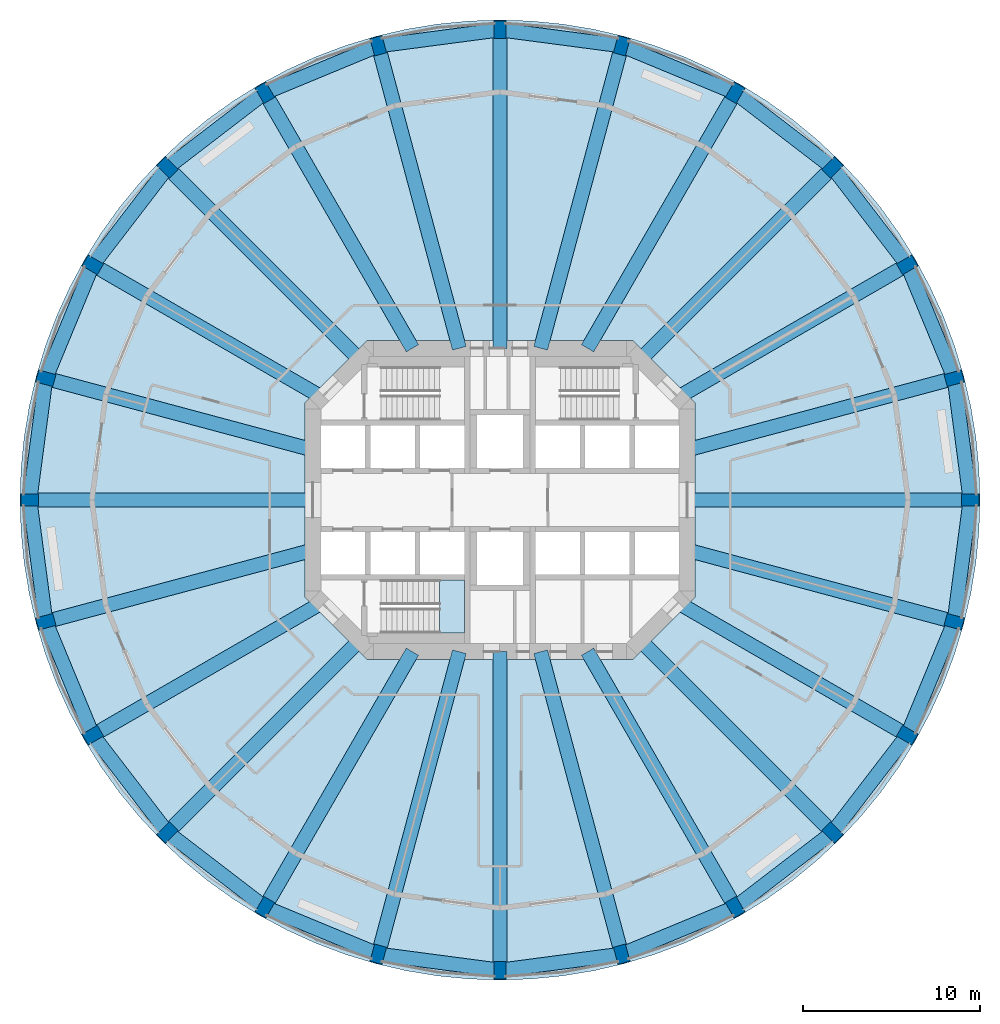
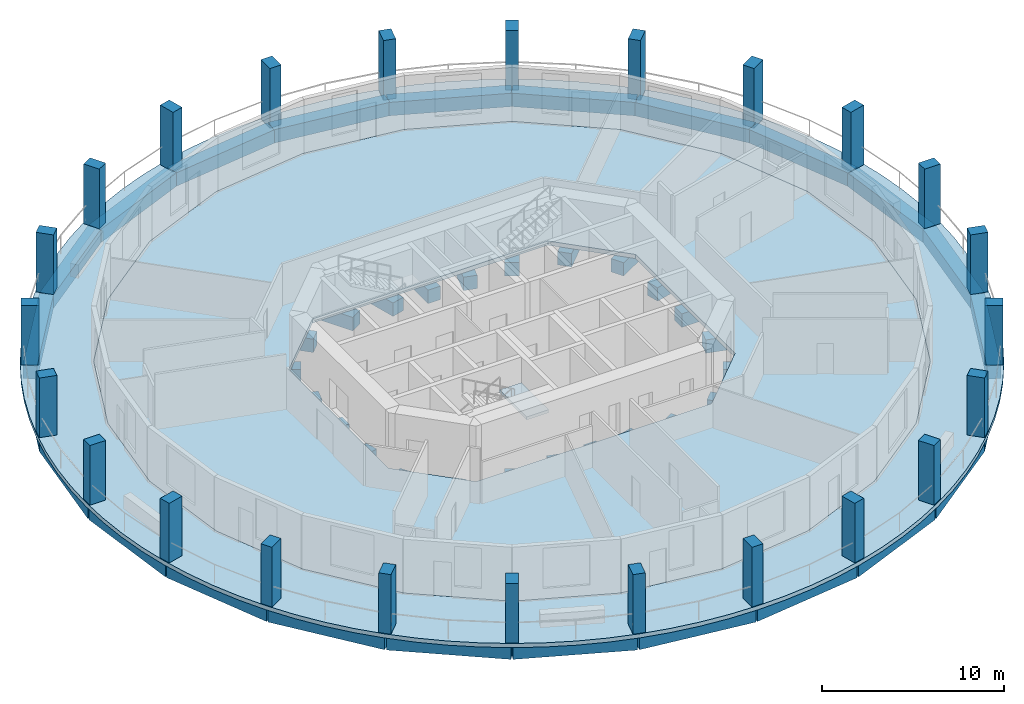
# One storey, part 1 of 9: 48 beams, 24 columns, 3 slabs, 1 element without a shape of its own.
"""IFC4 building model written with IfcOpenShell, lengths in metres."""

from ifc_helpers import new_model, si_unit, direction, frame, origin, origin_2d, place, context, subcontext, project, spatial, polyline, rectangle, outline, extrude, material, layer, layer_set, material_profile, profile_set, type_object, element, aggregate, save


model = new_model("IFC4")

# Units and contexts
model_context = context("Model", 3, precision=1e-05, world=origin(), true_north=direction((0.0, 1.0)))
body_context = subcontext(model_context, "Body", "Model", "MODEL_VIEW")
ifc_project = project(units=[si_unit("LENGTHUNIT", "METRE"), si_unit("AREAUNIT", "SQUARE_METRE"), si_unit("VOLUMEUNIT", "CUBIC_METRE"), si_unit("PLANEANGLEUNIT", "RADIAN"), si_unit("MASSUNIT", "GRAM", prefix="KILO")], contexts=[model_context])

# Site, building, storey
site_placement = place(None, origin())
site = spatial("IfcSite", under=ifc_project, at=site_placement, CompositionType="ELEMENT")
building_placement = place(site_placement, origin())
building = spatial("IfcBuilding", under=site, at=building_placement, Name="Torre Triforio", CompositionType="ELEMENT")
storey_placement = place(building_placement, frame((0.0, 0.0, 47.0)))
storey = spatial("IfcBuildingStorey", under=building, at=storey_placement, Name="L09", CompositionType="ELEMENT", Elevation=47.0)

# Columns
ifc_material_1 = material(Name="Concrete C70", Category="concrete")
ifc_material_profile_1 = material_profile(ifc_material_1, rectangle(XDim=0.699951171875, YDim=1.0, at=origin_2d()), Name="RC 700x1000")
ifc_profile_set_1 = profile_set([ifc_material_profile_1], Name="Concrete C70")
column_type = type_object("IfcColumnType", Name="Pier RC 700x1000 C70", PredefinedType="COLUMN", material=ifc_profile_set_1)
for number, where, z_axis, x_axis, name in (
    (1, (26.5, 0.0, 0.0), (0.0, 0.0, 1.0), (0.0, 1.0, 0.0), "COL.R.L09.00"),
    (2, (25.596923828125, 6.858642578125, 0.0), (0.0, 0.0, 1.0), (-0.258819045103, 0.965925826289, 0.0), "COL.R.L09.01"),
    (3, (22.94970703125, 13.25, 0.0), (0.0, 0.0, 1.0), (-0.5, 0.866025403784, 0.0), "COL.R.L09.02"),
    (4, (18.73828125, 18.73828125, 0.0), (0.0, 0.0, 1.0), (-0.707106781187, 0.707106781187, 0.0), "COL.R.L09.03"),
    (5, (13.25, 22.94970703125, 0.0), (0.0, 0.0, 1.0), (-0.866025403784, 0.5, 0.0), "COL.R.L09.04"),
    (6, (6.858642578125, 25.596923828125, 0.0), (0.0, 0.0, 1.0), (-0.965925826289, 0.258819045103, 0.0), "COL.R.L09.05"),
    (7, (0.0, 26.5, 0.0), (0.0, 0.0, 1.0), (-1.0, 0.0, 0.0), "COL.R.L09.06"),
    (8, (-6.858642578125, 25.596923828125, 0.0), (0.0, 0.0, 1.0), (-0.965925826289, -0.258819045103, 0.0), "COL.R.L09.07"),
    (9, (-13.25, 22.94970703125, 0.0), (0.0, 0.0, 1.0), (-0.866025403784, -0.5, 0.0), "COL.R.L09.08"),
    (10, (-18.73828125, 18.73828125, 0.0), (0.0, 0.0, 1.0), (-0.707106781187, -0.707106781187, 0.0), "COL.R.L09.09"),
    (11, (-22.94970703125, 13.25, 0.0), (0.0, 0.0, 1.0), (-0.5, -0.866025403784, 0.0), "COL.R.L09.10"),
    (12, (-25.596923828125, 6.858642578125, 0.0), (0.0, 0.0, 1.0), (-0.258819045103, -0.965925826289, 0.0), "COL.R.L09.11"),
    (13, (-26.5, 0.0, 0.0), (0.0, 0.0, 1.0), (0.0, -1.0, 0.0), "COL.R.L09.12"),
    (14, (-25.596923828125, -6.858642578125, 0.0), (0.0, 0.0, 1.0), (0.258819045103, -0.965925826289, 0.0), "COL.R.L09.13"),
    (15, (-22.94970703125, -13.25, 0.0), (0.0, 0.0, 1.0), (0.5, -0.866025403784, 0.0), "COL.R.L09.14"),
    (16, (-18.73828125, -18.73828125, 0.0), (0.0, 0.0, 1.0), (0.707106781187, -0.707106781187, 0.0), "COL.R.L09.15"),
    (17, (-13.25, -22.94970703125, 0.0), (0.0, 0.0, 1.0), (0.866025403784, -0.5, 0.0), "COL.R.L09.16"),
    (18, (-6.858642578125, -25.596923828125, 0.0), (0.0, 0.0, 1.0), (0.965925826289, -0.258819045103, 0.0), "COL.R.L09.17"),
    (19, (0.0, -26.5, 0.0), (0.0, 0.0, 1.0), (1.0, 0.0, 0.0), "COL.R.L09.18"),
    (20, (6.858642578125, -25.596923828125, 0.0), (0.0, 0.0, 1.0), (0.965925826289, 0.258819045103, 0.0), "COL.R.L09.19"),
    (21, (13.25, -22.94970703125, 0.0), (0.0, 0.0, 1.0), (0.866025403784, 0.5, 0.0), "COL.R.L09.20"),
    (22, (18.73828125, -18.73828125, 0.0), (0.0, 0.0, 1.0), (0.707106781187, 0.707106781187, 0.0), "COL.R.L09.21"),
    (23, (22.94970703125, -13.25, 0.0), (0.0, 0.0, 1.0), (0.5, 0.866025403784, 0.0), "COL.R.L09.22"),
    (24, (25.596923828125, -6.858642578125, 0.0), (0.0, 0.0, 1.0), (0.258819045103, 0.965925826289, 0.0), "COL.R.L09.23"),
):
    element("IfcColumn", number, at=place(storey_placement, frame(where, z_axis=z_axis, x_axis=x_axis)), inside=storey, type_object=column_type, Name=name, PredefinedType="COLUMN", context=body_context, shape_type="SweptSolid", body=[
        extrude(rectangle(XDim=0.699951171875, YDim=1.0, at=origin_2d()), origin(), (0.0, 0.0, 1.0), 4.0),
    ])

# Beams
ifc_material_2 = material(Name="Concrete C50", Category="concrete")
ifc_material_profile_2 = material_profile(ifc_material_2, rectangle(XDim=0.800048828125, YDim=0.89990234375, at=origin_2d()), Name="RC 800x900")
ifc_profile_set_2 = profile_set([ifc_material_profile_2], Name="Concrete C50")
beam_type_1 = type_object("IfcBeamType", Name="Radial beam RC 800x900 C50", PredefinedType="BEAM", material=ifc_profile_set_2)
beam_1_placement = place(storey_placement, frame((10.550048828125, 0.0, -0.72998046875), z_axis=(1.0, 0.0, 0.0), x_axis=(0.0, 1.0, 0.0)))
element("IfcBeam", 25, at=beam_1_placement, inside=storey, type_object=beam_type_1, Name="BM.R.L09.00", PredefinedType="BEAM", context=body_context, shape_type="SweptSolid", body=[
    extrude(rectangle(XDim=0.800048828125, YDim=0.89990234375, at=origin_2d()), origin(), (0.0, 0.0, 1.0), 15.949951171875),
])
beam_2_placement = place(storey_placement, frame((10.550048828125, 2.826904296875, -0.72998046875), z_axis=(0.965926784764, 0.258815467997, 0.0), x_axis=(-0.258815467997, 0.965926784764, 0.0)))
element("IfcBeam", 26, at=beam_2_placement, inside=storey, type_object=beam_type_1, Name="BM.R.L09.01", PredefinedType="BEAM", context=body_context, shape_type="SweptSolid", body=[
    extrude(rectangle(XDim=0.800048828125, YDim=0.89990234375, at=origin_2d()), origin(), (0.0, 0.0, 1.0), 15.57763671875),
])
beam_3_placement = place(storey_placement, frame((10.039794921875, 5.796630859375, -0.72998046875), z_axis=(0.866030402573, 0.499991341745, 0.0), x_axis=(-0.499991341745, 0.866030402573, 0.0)))
element("IfcBeam", 27, at=beam_3_placement, inside=storey, type_object=beam_type_1, Name="BM.R.L09.02", PredefinedType="BEAM", context=body_context, shape_type="SweptSolid", body=[
    extrude(rectangle(XDim=0.800048828125, YDim=0.89990234375, at=origin_2d()), origin(), (0.0, 0.0, 1.0), 14.906982421875),
])
beam_4_placement = place(storey_placement, frame((7.918212890625, 7.918212890625, -0.72998046875), z_axis=(0.707106781187, 0.707106781187, 0.0), x_axis=(-0.707106781187, 0.707106781187, 0.0)))
element("IfcBeam", 28, at=beam_4_placement, inside=storey, type_object=beam_type_1, Name="BM.R.L09.03", PredefinedType="BEAM", context=body_context, shape_type="SweptSolid", body=[
    extrude(rectangle(XDim=0.800048828125, YDim=0.89990234375, at=origin_2d()), origin(), (0.0, 0.0, 1.0), 15.302001953125),
])
beam_5_placement = place(storey_placement, frame((4.936279296875, 8.550048828125, -0.72998046875), z_axis=(0.500003345241, 0.8660234724, 0.0), x_axis=(-0.8660234724, 0.500003345241, 0.0)))
element("IfcBeam", 29, at=beam_5_placement, inside=storey, type_object=beam_type_1, Name="BM.R.L09.04", PredefinedType="BEAM", context=body_context, shape_type="SweptSolid", body=[
    extrude(rectangle(XDim=0.800048828125, YDim=0.89990234375, at=origin_2d()), origin(), (0.0, 0.0, 1.0), 16.62744140625),
])
beam_6_placement = place(storey_placement, frame((2.291015625, 8.550048828125, -0.72998046875), z_axis=(0.258815374176, 0.965926809903, 0.0), x_axis=(-0.965926809903, 0.258815374176, 0.0)))
element("IfcBeam", 30, at=beam_6_placement, inside=storey, type_object=beam_type_1, Name="BM.R.L09.05", PredefinedType="BEAM", context=body_context, shape_type="SweptSolid", body=[
    extrude(rectangle(XDim=0.800048828125, YDim=0.89990234375, at=origin_2d()), origin(), (0.0, 0.0, 1.0), 17.648193359375),
])
beam_7_placement = place(storey_placement, frame((0.0, 8.550048828125, -0.72998046875), z_axis=(0.0, 1.0, 0.0), x_axis=(-1.0, 0.0, 0.0)))
element("IfcBeam", 31, at=beam_7_placement, inside=storey, type_object=beam_type_1, Name="BM.R.L09.06", PredefinedType="BEAM", context=body_context, shape_type="SweptSolid", body=[
    extrude(rectangle(XDim=0.800048828125, YDim=0.89990234375, at=origin_2d()), origin(), (0.0, 0.0, 1.0), 17.949951171875),
])
beam_8_placement = place(storey_placement, frame((-2.291015625, 8.550048828125, -0.72998046875), z_axis=(-0.258815374176, 0.965926809903, 0.0), x_axis=(-0.965926809903, -0.258815374176, 0.0)))
element("IfcBeam", 32, at=beam_8_placement, inside=storey, type_object=beam_type_1, Name="BM.R.L09.07", PredefinedType="BEAM", context=body_context, shape_type="SweptSolid", body=[
    extrude(rectangle(XDim=0.800048828125, YDim=0.89990234375, at=origin_2d()), origin(), (0.0, 0.0, 1.0), 17.648193359375),
])
beam_9_placement = place(storey_placement, frame((-4.936279296875, 8.550048828125, -0.72998046875), z_axis=(-0.500003345241, 0.8660234724, 0.0), x_axis=(-0.8660234724, -0.500003345241, 0.0)))
element("IfcBeam", 33, at=beam_9_placement, inside=storey, type_object=beam_type_1, Name="BM.R.L09.08", PredefinedType="BEAM", context=body_context, shape_type="SweptSolid", body=[
    extrude(rectangle(XDim=0.800048828125, YDim=0.89990234375, at=origin_2d()), origin(), (0.0, 0.0, 1.0), 16.62744140625),
])
beam_10_placement = place(storey_placement, frame((-7.918212890625, 7.918212890625, -0.72998046875), z_axis=(-0.707106781187, 0.707106781187, 0.0), x_axis=(-0.707106781187, -0.707106781187, 0.0)))
element("IfcBeam", 34, at=beam_10_placement, inside=storey, type_object=beam_type_1, Name="BM.R.L09.09", PredefinedType="BEAM", context=body_context, shape_type="SweptSolid", body=[
    extrude(rectangle(XDim=0.800048828125, YDim=0.89990234375, at=origin_2d()), origin(), (0.0, 0.0, 1.0), 15.302001953125),
])
beam_11_placement = place(storey_placement, frame((-10.039794921875, 5.796630859375, -0.72998046875), z_axis=(-0.866030402573, 0.499991341745, 0.0), x_axis=(-0.499991341745, -0.866030402573, 0.0)))
element("IfcBeam", 35, at=beam_11_placement, inside=storey, type_object=beam_type_1, Name="BM.R.L09.10", PredefinedType="BEAM", context=body_context, shape_type="SweptSolid", body=[
    extrude(rectangle(XDim=0.800048828125, YDim=0.89990234375, at=origin_2d()), origin(), (0.0, 0.0, 1.0), 14.906982421875),
])
beam_12_placement = place(storey_placement, frame((-10.550048828125, 2.826904296875, -0.72998046875), z_axis=(-0.965926784764, 0.258815467997, 0.0), x_axis=(-0.258815467997, -0.965926784764, 0.0)))
element("IfcBeam", 36, at=beam_12_placement, inside=storey, type_object=beam_type_1, Name="BM.R.L09.11", PredefinedType="BEAM", context=body_context, shape_type="SweptSolid", body=[
    extrude(rectangle(XDim=0.800048828125, YDim=0.89990234375, at=origin_2d()), origin(), (0.0, 0.0, 1.0), 15.57763671875),
])
beam_13_placement = place(storey_placement, frame((-10.550048828125, 0.0, -0.72998046875), z_axis=(-1.0, 0.0, 0.0), x_axis=(0.0, -1.0, 0.0)))
element("IfcBeam", 37, at=beam_13_placement, inside=storey, type_object=beam_type_1, Name="BM.R.L09.12", PredefinedType="BEAM", context=body_context, shape_type="SweptSolid", body=[
    extrude(rectangle(XDim=0.800048828125, YDim=0.89990234375, at=origin_2d()), origin(), (0.0, 0.0, 1.0), 15.949951171875),
])
beam_14_placement = place(storey_placement, frame((-10.550048828125, -2.826904296875, -0.72998046875), z_axis=(-0.965926784764, -0.258815467997, 0.0), x_axis=(0.258815467997, -0.965926784764, 0.0)))
element("IfcBeam", 38, at=beam_14_placement, inside=storey, type_object=beam_type_1, Name="BM.R.L09.13", PredefinedType="BEAM", context=body_context, shape_type="SweptSolid", body=[
    extrude(rectangle(XDim=0.800048828125, YDim=0.89990234375, at=origin_2d()), origin(), (0.0, 0.0, 1.0), 15.57763671875),
])
beam_15_placement = place(storey_placement, frame((-10.039794921875, -5.796630859375, -0.72998046875), z_axis=(-0.866030402573, -0.499991341745, 0.0), x_axis=(0.499991341745, -0.866030402573, 0.0)))
element("IfcBeam", 39, at=beam_15_placement, inside=storey, type_object=beam_type_1, Name="BM.R.L09.14", PredefinedType="BEAM", context=body_context, shape_type="SweptSolid", body=[
    extrude(rectangle(XDim=0.800048828125, YDim=0.89990234375, at=origin_2d()), origin(), (0.0, 0.0, 1.0), 14.906982421875),
])
beam_16_placement = place(storey_placement, frame((-7.918212890625, -7.918212890625, -0.72998046875), z_axis=(-0.707106781187, -0.707106781187, 0.0), x_axis=(0.707106781187, -0.707106781187, 0.0)))
element("IfcBeam", 40, at=beam_16_placement, inside=storey, type_object=beam_type_1, Name="BM.R.L09.15", PredefinedType="BEAM", context=body_context, shape_type="SweptSolid", body=[
    extrude(rectangle(XDim=0.800048828125, YDim=0.89990234375, at=origin_2d()), origin(), (0.0, 0.0, 1.0), 15.302001953125),
])
beam_17_placement = place(storey_placement, frame((-4.936279296875, -8.550048828125, -0.72998046875), z_axis=(-0.500003345241, -0.8660234724, 0.0), x_axis=(0.8660234724, -0.500003345241, 0.0)))
element("IfcBeam", 41, at=beam_17_placement, inside=storey, type_object=beam_type_1, Name="BM.R.L09.16", PredefinedType="BEAM", context=body_context, shape_type="SweptSolid", body=[
    extrude(rectangle(XDim=0.800048828125, YDim=0.89990234375, at=origin_2d()), origin(), (0.0, 0.0, 1.0), 16.62744140625),
])
beam_18_placement = place(storey_placement, frame((-2.291015625, -8.550048828125, -0.72998046875), z_axis=(-0.258815374176, -0.965926809903, 0.0), x_axis=(0.965926809903, -0.258815374176, 0.0)))
element("IfcBeam", 42, at=beam_18_placement, inside=storey, type_object=beam_type_1, Name="BM.R.L09.17", PredefinedType="BEAM", context=body_context, shape_type="SweptSolid", body=[
    extrude(rectangle(XDim=0.800048828125, YDim=0.89990234375, at=origin_2d()), origin(), (0.0, 0.0, 1.0), 17.648193359375),
])
beam_19_placement = place(storey_placement, frame((0.0, -8.550048828125, -0.72998046875), z_axis=(0.0, -1.0, 0.0), x_axis=(1.0, 0.0, 0.0)))
element("IfcBeam", 43, at=beam_19_placement, inside=storey, type_object=beam_type_1, Name="BM.R.L09.18", PredefinedType="BEAM", context=body_context, shape_type="SweptSolid", body=[
    extrude(rectangle(XDim=0.800048828125, YDim=0.89990234375, at=origin_2d()), origin(), (0.0, 0.0, 1.0), 17.949951171875),
])
beam_20_placement = place(storey_placement, frame((2.291015625, -8.550048828125, -0.72998046875), z_axis=(0.258815374176, -0.965926809903, 0.0), x_axis=(0.965926809903, 0.258815374176, 0.0)))
element("IfcBeam", 44, at=beam_20_placement, inside=storey, type_object=beam_type_1, Name="BM.R.L09.19", PredefinedType="BEAM", context=body_context, shape_type="SweptSolid", body=[
    extrude(rectangle(XDim=0.800048828125, YDim=0.89990234375, at=origin_2d()), origin(), (0.0, 0.0, 1.0), 17.648193359375),
])
beam_21_placement = place(storey_placement, frame((4.936279296875, -8.550048828125, -0.72998046875), z_axis=(0.500003345241, -0.8660234724, 0.0), x_axis=(0.8660234724, 0.500003345241, 0.0)))
element("IfcBeam", 45, at=beam_21_placement, inside=storey, type_object=beam_type_1, Name="BM.R.L09.20", PredefinedType="BEAM", context=body_context, shape_type="SweptSolid", body=[
    extrude(rectangle(XDim=0.800048828125, YDim=0.89990234375, at=origin_2d()), origin(), (0.0, 0.0, 1.0), 16.62744140625),
])
beam_22_placement = place(storey_placement, frame((7.918212890625, -7.918212890625, -0.72998046875), z_axis=(0.707106781187, -0.707106781187, 0.0), x_axis=(0.707106781187, 0.707106781187, 0.0)))
element("IfcBeam", 46, at=beam_22_placement, inside=storey, type_object=beam_type_1, Name="BM.R.L09.21", PredefinedType="BEAM", context=body_context, shape_type="SweptSolid", body=[
    extrude(rectangle(XDim=0.800048828125, YDim=0.89990234375, at=origin_2d()), origin(), (0.0, 0.0, 1.0), 15.302001953125),
])
beam_23_placement = place(storey_placement, frame((10.039794921875, -5.796630859375, -0.72998046875), z_axis=(0.866030402573, -0.499991341745, 0.0), x_axis=(0.499991341745, 0.866030402573, 0.0)))
element("IfcBeam", 47, at=beam_23_placement, inside=storey, type_object=beam_type_1, Name="BM.R.L09.22", PredefinedType="BEAM", context=body_context, shape_type="SweptSolid", body=[
    extrude(rectangle(XDim=0.800048828125, YDim=0.89990234375, at=origin_2d()), origin(), (0.0, 0.0, 1.0), 14.906982421875),
])
beam_24_placement = place(storey_placement, frame((10.550048828125, -2.826904296875, -0.72998046875), z_axis=(0.965926784764, -0.258815467997, 0.0), x_axis=(0.258815467997, 0.965926784764, 0.0)))
element("IfcBeam", 48, at=beam_24_placement, inside=storey, type_object=beam_type_1, Name="BM.R.L09.23", PredefinedType="BEAM", context=body_context, shape_type="SweptSolid", body=[
    extrude(rectangle(XDim=0.800048828125, YDim=0.89990234375, at=origin_2d()), origin(), (0.0, 0.0, 1.0), 15.57763671875),
])
ifc_material_profile_3 = material_profile(ifc_material_2, rectangle(XDim=0.800048828125, YDim=0.89990234375, at=origin_2d()), Name="RC 800x900")
ifc_profile_set_3 = profile_set([ifc_material_profile_3], Name="Concrete C50")
beam_type_2 = type_object("IfcBeamType", Name="Spandrel beam RC 800x900 C50", PredefinedType="SPANDREL", material=ifc_profile_set_3)
beam_25_placement = place(storey_placement, frame((26.5, 0.0, -0.72998046875), z_axis=(-0.130543064996, 0.991442639885, 0.0), x_axis=(-0.991442639885, -0.130543064996, 0.0)))
element("IfcBeam", 49, at=beam_25_placement, inside=storey, type_object=beam_type_2, Name="BM.S.L09.00", PredefinedType="SPANDREL", context=body_context, shape_type="SweptSolid", body=[
    extrude(rectangle(XDim=0.800048828125, YDim=0.89990234375, at=origin_2d()), origin(), (0.0, 0.0, 1.0), 6.917724609375),
])
for number, where, z_axis, x_axis, name in (
    (50, (25.596923828125, 6.858642578125, -0.72998046875), (-0.382662441128, 0.923888227087, 0.0), (-0.923888227087, -0.382662441128, 0.0), "BM.S.L09.01"),
    (51, (22.94970703125, 13.25, -0.72998046875), (-0.608772297796, 0.793345000259, 0.0), (-0.793345000259, -0.608772297796, 0.0), "BM.S.L09.02"),
    (52, (18.73828125, 18.73828125, -0.72998046875), (-0.793345000259, 0.608772297796, 0.0), (-0.608772297796, -0.793345000259, 0.0), "BM.S.L09.03"),
    (53, (13.25, 22.94970703125, -0.72998046875), (-0.923888227087, 0.382662441128, 0.0), (-0.382662441128, -0.923888227087, 0.0), "BM.S.L09.04"),
):
    element("IfcBeam", number, at=place(storey_placement, frame(where, z_axis=z_axis, x_axis=x_axis)), inside=storey, type_object=beam_type_2, Name=name, PredefinedType="SPANDREL", context=body_context, shape_type="SweptSolid", body=[
        extrude(rectangle(XDim=0.800048828125, YDim=0.89990234375, at=origin_2d()), origin(), (0.0, 0.0, 1.0), 6.91796875),
    ])
for number, where, z_axis, x_axis, name in (
    (54, (6.858642578125, 25.596923828125, -0.72998046875), (-0.991442639885, 0.130543064996, 0.0), (-0.130543064996, -0.991442639885, 0.0), "BM.S.L09.05"),
    (55, (0.0, 26.5, -0.72998046875), (-0.991442639885, -0.130543064996, 0.0), (0.130543064996, -0.991442639885, 0.0), "BM.S.L09.06"),
):
    element("IfcBeam", number, at=place(storey_placement, frame(where, z_axis=z_axis, x_axis=x_axis)), inside=storey, type_object=beam_type_2, Name=name, PredefinedType="SPANDREL", context=body_context, shape_type="SweptSolid", body=[
        extrude(rectangle(XDim=0.800048828125, YDim=0.89990234375, at=origin_2d()), origin(), (0.0, 0.0, 1.0), 6.917724609375),
    ])
for number, where, z_axis, x_axis, name in (
    (56, (-6.858642578125, 25.596923828125, -0.72998046875), (-0.923888227087, -0.382662441128, 0.0), (0.382662441128, -0.923888227087, 0.0), "BM.S.L09.07"),
    (57, (-13.25, 22.94970703125, -0.72998046875), (-0.793345000259, -0.608772297796, 0.0), (0.608772297796, -0.793345000259, 0.0), "BM.S.L09.08"),
    (58, (-18.73828125, 18.73828125, -0.72998046875), (-0.608772297796, -0.793345000259, 0.0), (0.793345000259, -0.608772297796, 0.0), "BM.S.L09.09"),
    (59, (-22.94970703125, 13.25, -0.72998046875), (-0.382662441128, -0.923888227087, 0.0), (0.923888227087, -0.382662441128, 0.0), "BM.S.L09.10"),
):
    element("IfcBeam", number, at=place(storey_placement, frame(where, z_axis=z_axis, x_axis=x_axis)), inside=storey, type_object=beam_type_2, Name=name, PredefinedType="SPANDREL", context=body_context, shape_type="SweptSolid", body=[
        extrude(rectangle(XDim=0.800048828125, YDim=0.89990234375, at=origin_2d()), origin(), (0.0, 0.0, 1.0), 6.91796875),
    ])
for number, where, z_axis, x_axis, name in (
    (60, (-25.596923828125, 6.858642578125, -0.72998046875), (-0.130543064996, -0.991442639885, 0.0), (0.991442639885, -0.130543064996, 0.0), "BM.S.L09.11"),
    (61, (-26.5, 0.0, -0.72998046875), (0.130543064996, -0.991442639885, 0.0), (0.991442639885, 0.130543064996, 0.0), "BM.S.L09.12"),
):
    element("IfcBeam", number, at=place(storey_placement, frame(where, z_axis=z_axis, x_axis=x_axis)), inside=storey, type_object=beam_type_2, Name=name, PredefinedType="SPANDREL", context=body_context, shape_type="SweptSolid", body=[
        extrude(rectangle(XDim=0.800048828125, YDim=0.89990234375, at=origin_2d()), origin(), (0.0, 0.0, 1.0), 6.917724609375),
    ])
for number, where, z_axis, x_axis, name in (
    (62, (-25.596923828125, -6.858642578125, -0.72998046875), (0.382662441128, -0.923888227087, 0.0), (0.923888227087, 0.382662441128, 0.0), "BM.S.L09.13"),
    (63, (-22.94970703125, -13.25, -0.72998046875), (0.608772297796, -0.793345000259, 0.0), (0.793345000259, 0.608772297796, 0.0), "BM.S.L09.14"),
    (64, (-18.73828125, -18.73828125, -0.72998046875), (0.793345000259, -0.608772297796, 0.0), (0.608772297796, 0.793345000259, 0.0), "BM.S.L09.15"),
    (65, (-13.25, -22.94970703125, -0.72998046875), (0.923888227087, -0.382662441128, 0.0), (0.382662441128, 0.923888227087, 0.0), "BM.S.L09.16"),
):
    element("IfcBeam", number, at=place(storey_placement, frame(where, z_axis=z_axis, x_axis=x_axis)), inside=storey, type_object=beam_type_2, Name=name, PredefinedType="SPANDREL", context=body_context, shape_type="SweptSolid", body=[
        extrude(rectangle(XDim=0.800048828125, YDim=0.89990234375, at=origin_2d()), origin(), (0.0, 0.0, 1.0), 6.91796875),
    ])
for number, where, z_axis, x_axis, name in (
    (66, (-6.858642578125, -25.596923828125, -0.72998046875), (0.991442639885, -0.130543064996, 0.0), (0.130543064996, 0.991442639885, 0.0), "BM.S.L09.17"),
    (67, (0.0, -26.5, -0.72998046875), (0.991442639885, 0.130543064996, 0.0), (-0.130543064996, 0.991442639885, 0.0), "BM.S.L09.18"),
):
    element("IfcBeam", number, at=place(storey_placement, frame(where, z_axis=z_axis, x_axis=x_axis)), inside=storey, type_object=beam_type_2, Name=name, PredefinedType="SPANDREL", context=body_context, shape_type="SweptSolid", body=[
        extrude(rectangle(XDim=0.800048828125, YDim=0.89990234375, at=origin_2d()), origin(), (0.0, 0.0, 1.0), 6.917724609375),
    ])
for number, where, z_axis, x_axis, name in (
    (68, (6.858642578125, -25.596923828125, -0.72998046875), (0.923888227087, 0.382662441128, 0.0), (-0.382662441128, 0.923888227087, 0.0), "BM.S.L09.19"),
    (69, (13.25, -22.94970703125, -0.72998046875), (0.793345000259, 0.608772297796, 0.0), (-0.608772297796, 0.793345000259, 0.0), "BM.S.L09.20"),
    (70, (18.73828125, -18.73828125, -0.72998046875), (0.608772297796, 0.793345000259, 0.0), (-0.793345000259, 0.608772297796, 0.0), "BM.S.L09.21"),
    (71, (22.94970703125, -13.25, -0.72998046875), (0.382662441128, 0.923888227087, 0.0), (-0.923888227087, 0.382662441128, 0.0), "BM.S.L09.22"),
):
    element("IfcBeam", number, at=place(storey_placement, frame(where, z_axis=z_axis, x_axis=x_axis)), inside=storey, type_object=beam_type_2, Name=name, PredefinedType="SPANDREL", context=body_context, shape_type="SweptSolid", body=[
        extrude(rectangle(XDim=0.800048828125, YDim=0.89990234375, at=origin_2d()), origin(), (0.0, 0.0, 1.0), 6.91796875),
    ])
beam_26_placement = place(storey_placement, frame((25.596923828125, -6.858642578125, -0.72998046875), z_axis=(0.130543064996, 0.991442639885, 0.0), x_axis=(-0.991442639885, 0.130543064996, 0.0)))
element("IfcBeam", 72, at=beam_26_placement, inside=storey, type_object=beam_type_2, Name="BM.S.L09.23", PredefinedType="SPANDREL", context=body_context, shape_type="SweptSolid", body=[
    extrude(rectangle(XDim=0.800048828125, YDim=0.89990234375, at=origin_2d()), origin(), (0.0, 0.0, 1.0), 6.917724609375),
])

# Slabs
ifc_layer_1 = layer(ifc_material_2, 0.280029296875)
ifc_layer_set_1 = layer_set([ifc_layer_1], Name="Concrete C50")
slab_type_1 = type_object("IfcSlabType", Name="Floor slab 280 C50", PredefinedType="FLOOR", material=ifc_layer_set_1)
slab_1_placement = place(storey_placement, frame((0.0, 0.0, -0.280029296875)))
element("IfcSlab", 73, at=slab_1_placement, inside=storey, type_object=slab_type_1, Name="SL.L09", PredefinedType="FLOOR", context=body_context, shape_type="SweptSolid", body=[
    extrude(outline(polyline([(19.918701171875, -11.5), (22.21630859375, -5.952880859375), (23.0, 0.0), (22.21630859375, 5.952880859375), (19.918701171875, 11.5), (16.263427734375, 16.263427734375), (11.5, 19.918701171875), (5.952880859375, 22.21630859375), (0.0, 23.0), (-5.952880859375, 22.21630859375), (-11.5, 19.918701171875), (-16.263427734375, 16.263427734375), (-19.918701171875, 11.5), (-22.21630859375, 5.952880859375), (-23.0, 0.0), (-22.21630859375, -5.952880859375), (-19.918701171875, -11.5), (-16.263427734375, -16.263427734375), (-11.5, -19.918701171875), (-5.952880859375, -22.21630859375), (0.0, -23.0), (5.952880859375, -22.21630859375), (11.5, -19.918701171875), (16.263427734375, -16.263427734375), (19.918701171875, -11.5)]), holes=[polyline([(11.0, 5.472900390625), (11.0, -5.472900390625), (7.472900390625, -9.0), (-7.472900390625, -9.0), (-11.0, -5.472900390625), (-11.0, 5.472900390625), (-7.472900390625, 9.0), (7.472900390625, 9.0), (11.0, 5.472900390625)])]), origin(), (0.0, 0.0, 1.0), 0.280029296875),
])
ifc_layer_2 = layer(ifc_material_2, 0.280029296875)
ifc_layer_set_2 = layer_set([ifc_layer_2], Name="Concrete C50")
slab_type_2 = type_object("IfcSlabType", Name="Loggia slab 280 C50", PredefinedType="FLOOR", material=ifc_layer_set_2)
slab_2_placement = place(storey_placement, frame((0.0, 0.0, -0.280029296875)))
element("IfcSlab", 74, at=slab_2_placement, inside=storey, type_object=slab_type_2, Name="SL.L09.LG", PredefinedType="FLOOR", context=body_context, shape_type="SweptSolid", body=[
    extrude(outline(polyline([(26.9921875, -1.76904296875), (27.050048828125, 0.0), (26.9921875, 1.76904296875), (26.818603515625, 3.53076171875), (26.5302734375, 5.277099609375), (26.128173828125, 7.0009765625), (25.614501953125, 8.69482421875), (24.990966796875, 10.3515625), (24.260498046875, 11.9638671875), (23.426025390625, 13.52490234375), (22.4912109375, 15.028076171875), (21.460205078125, 16.467041015625), (20.337158203125, 17.835205078125), (19.127197265625, 19.127197265625), (17.835205078125, 20.337158203125), (16.467041015625, 21.460205078125), (15.028076171875, 22.4912109375), (13.52490234375, 23.426025390625), (11.9638671875, 24.260498046875), (10.3515625, 24.990966796875), (8.69482421875, 25.614501953125), (7.0009765625, 26.128173828125), (5.277099609375, 26.5302734375), (3.53076171875, 26.818603515625), (1.76904296875, 26.9921875), (0.0, 27.050048828125), (-1.76904296875, 26.9921875), (-3.53076171875, 26.818603515625), (-5.277099609375, 26.5302734375), (-7.0009765625, 26.128173828125), (-8.69482421875, 25.614501953125), (-10.3515625, 24.990966796875), (-11.9638671875, 24.260498046875), (-13.52490234375, 23.426025390625), (-15.028076171875, 22.4912109375), (-16.467041015625, 21.460205078125), (-17.835205078125, 20.337158203125), (-19.127197265625, 19.127197265625), (-20.337158203125, 17.835205078125), (-21.460205078125, 16.467041015625), (-22.4912109375, 15.028076171875), (-23.426025390625, 13.52490234375), (-24.260498046875, 11.9638671875), (-24.990966796875, 10.3515625), (-25.614501953125, 8.69482421875), (-26.128173828125, 7.0009765625), (-26.5302734375, 5.277099609375), (-26.818603515625, 3.53076171875), (-26.9921875, 1.76904296875), (-27.050048828125, 0.0), (-26.9921875, -1.76904296875), (-26.818603515625, -3.53076171875), (-26.5302734375, -5.277099609375), (-26.128173828125, -7.0009765625), (-25.614501953125, -8.69482421875), (-24.990966796875, -10.3515625), (-24.260498046875, -11.9638671875), (-23.426025390625, -13.52490234375), (-22.4912109375, -15.028076171875), (-21.460205078125, -16.467041015625), (-20.337158203125, -17.835205078125), (-19.127197265625, -19.127197265625), (-17.835205078125, -20.337158203125), (-16.467041015625, -21.460205078125), (-15.028076171875, -22.4912109375), (-13.52490234375, -23.426025390625), (-11.9638671875, -24.260498046875), (-10.3515625, -24.990966796875), (-8.69482421875, -25.614501953125), (-7.0009765625, -26.128173828125), (-5.277099609375, -26.5302734375), (-3.53076171875, -26.818603515625), (-1.76904296875, -26.9921875), (0.0, -27.050048828125), (1.76904296875, -26.9921875), (3.53076171875, -26.818603515625), (5.277099609375, -26.5302734375), (7.0009765625, -26.128173828125), (8.69482421875, -25.614501953125), (10.3515625, -24.990966796875), (11.9638671875, -24.260498046875), (13.52490234375, -23.426025390625), (15.028076171875, -22.4912109375), (16.467041015625, -21.460205078125), (17.835205078125, -20.337158203125), (19.127197265625, -19.127197265625), (20.337158203125, -17.835205078125), (21.460205078125, -16.467041015625), (22.4912109375, -15.028076171875), (23.426025390625, -13.52490234375), (24.260498046875, -11.9638671875), (24.990966796875, -10.3515625), (25.614501953125, -8.69482421875), (26.128173828125, -7.0009765625), (26.5302734375, -5.277099609375), (26.818603515625, -3.53076171875), (26.9921875, -1.76904296875)]), holes=[polyline([(22.21630859375, 5.952880859375), (23.0, 0.0), (22.21630859375, -5.952880859375), (19.918701171875, -11.5), (16.263427734375, -16.263427734375), (11.5, -19.918701171875), (5.952880859375, -22.21630859375), (0.0, -23.0), (-5.952880859375, -22.21630859375), (-11.5, -19.918701171875), (-16.263427734375, -16.263427734375), (-19.918701171875, -11.5), (-22.21630859375, -5.952880859375), (-23.0, 0.0), (-22.21630859375, 5.952880859375), (-19.918701171875, 11.5), (-16.263427734375, 16.263427734375), (-11.5, 19.918701171875), (-5.952880859375, 22.21630859375), (0.0, 23.0), (5.952880859375, 22.21630859375), (11.5, 19.918701171875), (16.263427734375, 16.263427734375), (19.918701171875, 11.5), (22.21630859375, 5.952880859375)])]), origin(), (0.0, 0.0, 1.0), 0.280029296875),
])

# Stair, slab
ifc_material_3 = material(Name="Concrete C40", Category="concrete")
stair_type = type_object("IfcStairType", Name="STAIR HALF-TURN", PredefinedType="HALF_TURN_STAIR", material=ifc_material_3)
stair_placement = place(storey_placement, origin())
stair = element("IfcStair", 75, at=stair_placement, inside=storey, type_object=stair_type, Name="Exit stair 3", PredefinedType="HALF_TURN_STAIR")
ifc_layer_3 = layer(ifc_material_3, 0.199951171875)
ifc_layer_set_3 = layer_set([ifc_layer_3], Name="Concrete C40")
slab_type_3 = type_object("IfcSlabType", Name="STAIR LANDING 200", PredefinedType="LANDING", material=ifc_layer_set_3)
slab_3_placement = place(storey_placement, frame((0.0, 0.0, 1.800048828125)))
slab_3 = element("IfcSlab", 76, at=slab_3_placement, type_object=slab_type_3, Name="ST3 landing 1", PredefinedType="LANDING", context=body_context, shape_type="SweptSolid", body=[
    extrude(outline(polyline([(-2.0, -7.5), (-2.0, -4.5), (-3.39990234375, -4.5), (-3.39990234375, -7.5), (-2.0, -7.5)])), origin(), (0.0, 0.0, 1.0), 0.199951171875),
])
aggregate(stair, [slab_3])

save(model, "model.ifc")
